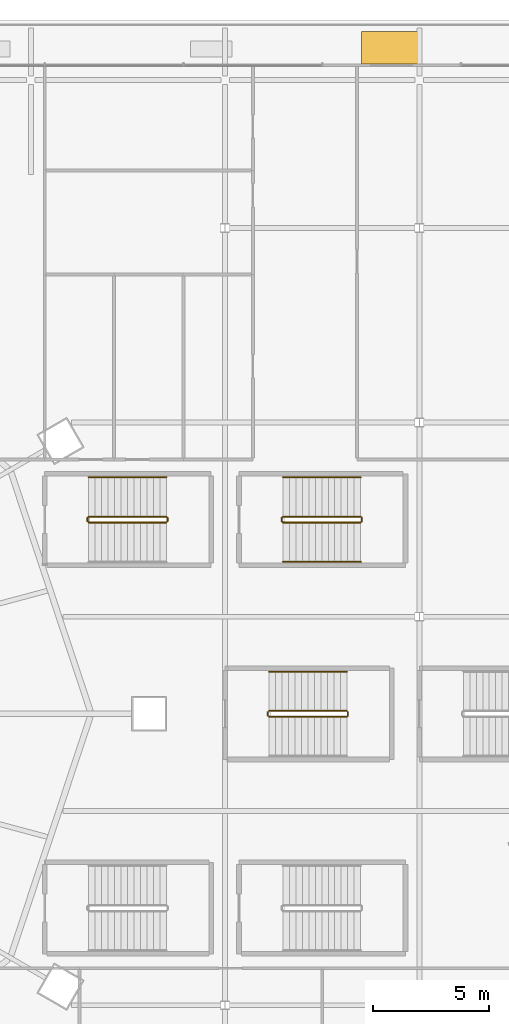
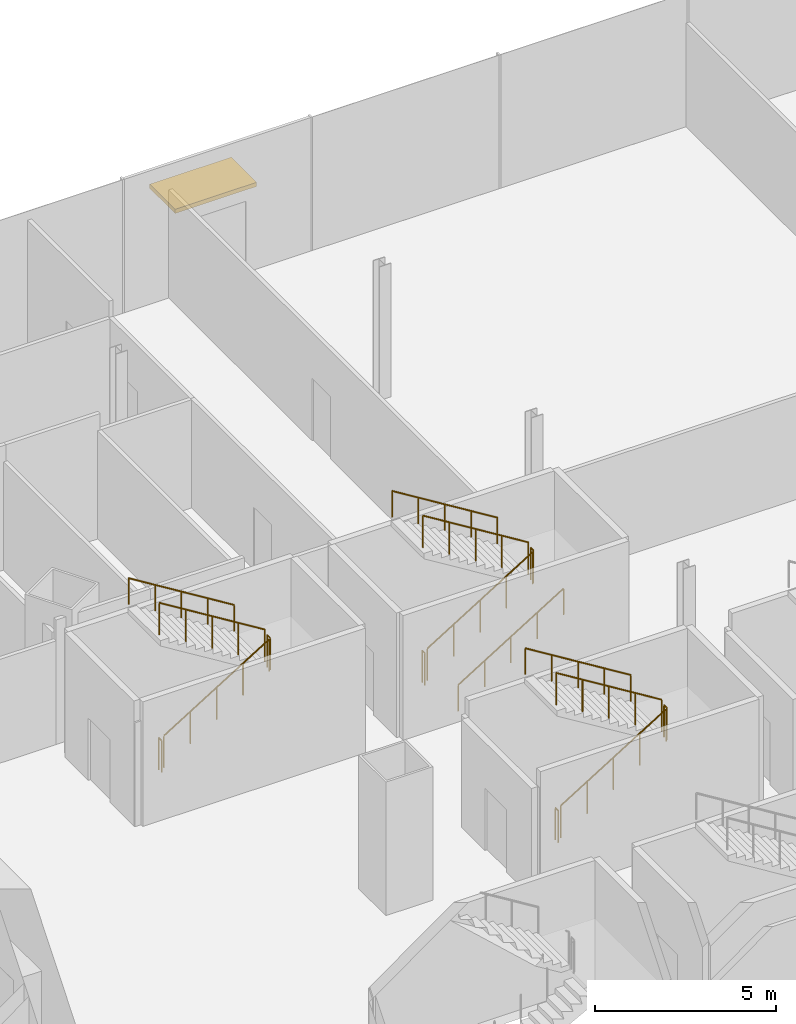
# One storey, part 47 of 52: 16 railings, 1 shading device.
"""IFC4 building model written with IfcOpenShell, lengths in metres."""

from ifc_helpers import new_model, si_unit, direction, frame, origin, origin_2d, place, context, subcontext, project, spatial, rectangle, circle, extrude, material, layer, layer_set, type_object, element, save


model = new_model("IFC4")

# Units and contexts
model_context = context("Model", 3, precision=1e-05, world=origin(), true_north=direction((0.0, 1.0)))
body_context = subcontext(model_context, "Body", "Model", "MODEL_VIEW")
ifc_project = project(units=[si_unit("LENGTHUNIT", "METRE"), si_unit("AREAUNIT", "SQUARE_METRE"), si_unit("VOLUMEUNIT", "CUBIC_METRE"), si_unit("PLANEANGLEUNIT", "RADIAN"), si_unit("MASSUNIT", "GRAM", prefix="KILO")], contexts=[model_context])

# Site, building, storey
site_placement = place(None, origin())
site = spatial("IfcSite", under=ifc_project, at=site_placement, CompositionType="ELEMENT")
building_placement = place(site_placement, origin())
building = spatial("IfcBuilding", under=site, at=building_placement, Name="Rimbun Link Towers", CompositionType="ELEMENT")
storey_placement = place(building_placement, frame((0.0, 0.0, 21.0)))
storey = spatial("IfcBuildingStorey", under=building, at=storey_placement, Name="L04", CompositionType="ELEMENT", Elevation=21.0)

# Shading device
ifc_material_1 = material(Name="Aluminium 6063-T6 louvre blades in a powder-coated aluminium frame", Category="aluminium")
ifc_layer = layer(ifc_material_1, 0.139892578125)
ifc_layer_set = layer_set([ifc_layer], Name="RAIN CANOPY louvre blades 2600X1400")
shading_device_type = type_object("IfcShadingDeviceType", Name="RAIN CANOPY louvre blades 2600X1400", PredefinedType="AWNING", material=ifc_layer_set)
shading_device_placement = place(storey_placement, frame((3.0, 28.800048828125, 2.7001953125), z_axis=(0.0, 0.0, 1.0), x_axis=(1.0, 0.0, 0.0)))
element("IfcShadingDevice", 1, at=shading_device_placement, inside=storey, type_object=shading_device_type, Name="RAIN CANOPY over terrace door", PredefinedType="AWNING", context=body_context, shape_type="SweptSolid", body=[
    extrude(rectangle(XDim=2.60009765625, YDim=1.39990234375, at=origin_2d()), origin(), (0.0, 0.0, 1.0), 0.139892578125),
])

# Railings
ifc_material_2 = material(Name="Stainless steel grade 316", Category="steel")
railing_type_1 = type_object("IfcRailingType", Name="Stair guard", PredefinedType="GUARDRAIL", material=ifc_material_2)
railing_1_placement = place(storey_placement, frame((-10.10009765625, 8.27490234375, 0.173095703125)))
element("IfcRailing", 2, at=railing_1_placement, inside=storey, type_object=railing_type_1, Name="L04 PS3 stair guard 1", PredefinedType="GUARDRAIL", context=body_context, shape_type="SweptSolid", body=[
    extrude(circle(Radius=0.02392578125, at=origin_2d()), frame((0.0, 0.0, 1.076171875), z_axis=(0.850623216509, 0.0, 0.525775754039), x_axis=(0.0, 1.0, 0.0)), (0.0, 0.0, 1.0), 3.9501953125),
    extrude(circle(Radius=0.02099609375, at=origin_2d()), origin(), (0.0, 0.0, 1.0), 1.052001953125),
    extrude(circle(Radius=0.02099609375, at=origin_2d()), frame((0.840087890625, 0.0, 0.519287109375)), (0.0, 0.0, 1.0), 1.052001953125),
    extrude(circle(Radius=0.02099609375, at=origin_2d()), frame((1.68017578125, 0.0, 1.03857421875)), (0.0, 0.0, 1.0), 1.052001953125),
    extrude(circle(Radius=0.02099609375, at=origin_2d()), frame((2.52001953125, 0.0, 1.5576171875)), (0.0, 0.0, 1.0), 1.052001953125),
    extrude(circle(Radius=0.02099609375, at=origin_2d()), frame((3.360107421875, 0.0, 2.076904296875)), (0.0, 0.0, 1.0), 1.052001953125),
])
railing_2_placement = place(storey_placement, frame((-6.68994140625, 8.324951171875, 2.25)))
element("IfcRailing", 3, at=railing_2_placement, inside=storey, type_object=railing_type_1, Name="L04 PS3 stair guard 2", PredefinedType="GUARDRAIL", context=body_context, shape_type="SweptSolid", body=[
    extrude(circle(Radius=0.02392578125, at=origin_2d()), frame((0.0, 0.0, 1.076171875), z_axis=(0.0, 1.0, 0.0), x_axis=(-1.0, 0.0, 0.0)), (0.0, 0.0, 1.0), 0.150146484375),
    extrude(circle(Radius=0.02099609375, at=origin_2d()), origin(), (0.0, 0.0, 1.0), 1.052001953125),
    extrude(circle(Radius=0.02099609375, at=origin_2d()), frame((0.0, 0.150146484375, 0.0)), (0.0, 0.0, 1.0), 1.052001953125),
])
railing_3_placement = place(storey_placement, frame((-6.739990234375, 8.52490234375, 2.423095703125)))
element("IfcRailing", 4, at=railing_3_placement, inside=storey, type_object=railing_type_1, Name="L04 PS3 stair guard 3", PredefinedType="GUARDRAIL", context=body_context, shape_type="SweptSolid", body=[
    extrude(circle(Radius=0.02392578125, at=origin_2d()), frame((0.0, 0.0, 1.076171875), z_axis=(-0.850623216509, 0.0, 0.525775754039), x_axis=(0.0, -1.0, 0.0)), (0.0, 0.0, 1.0), 3.9501953125),
    extrude(circle(Radius=0.02099609375, at=origin_2d()), origin(), (0.0, 0.0, 1.0), 1.052001953125),
    extrude(circle(Radius=0.02099609375, at=origin_2d()), frame((-0.840087890625, 0.0, 0.519287109375)), (0.0, 0.0, 1.0), 1.052001953125),
    extrude(circle(Radius=0.02099609375, at=origin_2d()), frame((-1.68017578125, 0.0, 1.03857421875)), (0.0, 0.0, 1.0), 1.052001953125),
    extrude(circle(Radius=0.02099609375, at=origin_2d()), frame((-2.52001953125, 0.0, 1.5576171875)), (0.0, 0.0, 1.0), 1.052001953125),
    extrude(circle(Radius=0.02099609375, at=origin_2d()), frame((-3.360107421875, 0.0, 2.076904296875)), (0.0, 0.0, 1.0), 1.052001953125),
])
railing_4_placement = place(storey_placement, frame((-10.14990234375, 8.324951171875, 0.0)))
element("IfcRailing", 5, at=railing_4_placement, inside=storey, type_object=railing_type_1, Name="L04 PS3 stair guard 4", PredefinedType="GUARDRAIL", context=body_context, shape_type="SweptSolid", body=[
    extrude(circle(Radius=0.02392578125, at=origin_2d()), frame((0.0, 0.0, 1.076171875), z_axis=(0.0, 1.0, 0.0), x_axis=(-1.0, 0.0, 0.0)), (0.0, 0.0, 1.0), 0.150146484375),
    extrude(circle(Radius=0.02099609375, at=origin_2d()), origin(), (0.0, 0.0, 1.0), 1.052001953125),
    extrude(circle(Radius=0.02099609375, at=origin_2d()), frame((0.0, 0.150146484375, 0.0)), (0.0, 0.0, 1.0), 1.052001953125),
])
railing_5_placement = place(storey_placement, frame((-1.699951171875, 8.27490234375, 0.173095703125)))
element("IfcRailing", 6, at=railing_5_placement, inside=storey, type_object=railing_type_1, Name="L04 PS4 stair guard 1", PredefinedType="GUARDRAIL", context=body_context, shape_type="SweptSolid", body=[
    extrude(circle(Radius=0.02392578125, at=origin_2d()), frame((0.0, 0.0, 1.076171875), z_axis=(0.850606129759, 0.0, 0.525803396734), x_axis=(0.0, 1.0, 0.0)), (0.0, 0.0, 1.0), 3.949951171875),
    extrude(circle(Radius=0.02099609375, at=origin_2d()), origin(), (0.0, 0.0, 1.0), 1.052001953125),
    extrude(circle(Radius=0.02099609375, at=origin_2d()), frame((0.83984375, 0.0, 0.519287109375)), (0.0, 0.0, 1.0), 1.052001953125),
    extrude(circle(Radius=0.02099609375, at=origin_2d()), frame((1.679931640625, 0.0, 1.03857421875)), (0.0, 0.0, 1.0), 1.052001953125),
    extrude(circle(Radius=0.02099609375, at=origin_2d()), frame((2.52001953125, 0.0, 1.5576171875)), (0.0, 0.0, 1.0), 1.052001953125),
    extrude(circle(Radius=0.02099609375, at=origin_2d()), frame((3.35986328125, 0.0, 2.076904296875)), (0.0, 0.0, 1.0), 1.052001953125),
])
railing_6_placement = place(storey_placement, frame((1.7099609375, 8.324951171875, 2.25)))
element("IfcRailing", 7, at=railing_6_placement, inside=storey, type_object=railing_type_1, Name="L04 PS4 stair guard 2", PredefinedType="GUARDRAIL", context=body_context, shape_type="SweptSolid", body=[
    extrude(circle(Radius=0.02392578125, at=origin_2d()), frame((0.0, 0.0, 1.076171875), z_axis=(0.0, 1.0, 0.0), x_axis=(-1.0, 0.0, 0.0)), (0.0, 0.0, 1.0), 0.150146484375),
    extrude(circle(Radius=0.02099609375, at=origin_2d()), origin(), (0.0, 0.0, 1.0), 1.052001953125),
    extrude(circle(Radius=0.02099609375, at=origin_2d()), frame((0.0, 0.150146484375, 0.0)), (0.0, 0.0, 1.0), 1.052001953125),
])
railing_7_placement = place(storey_placement, frame((1.659912109375, 8.52490234375, 2.423095703125)))
element("IfcRailing", 8, at=railing_7_placement, inside=storey, type_object=railing_type_1, Name="L04 PS4 stair guard 3", PredefinedType="GUARDRAIL", context=body_context, shape_type="SweptSolid", body=[
    extrude(circle(Radius=0.02392578125, at=origin_2d()), frame((0.0, 0.0, 1.076171875), z_axis=(-0.850606129759, 0.0, 0.525803396734), x_axis=(0.0, -1.0, 0.0)), (0.0, 0.0, 1.0), 3.949951171875),
    extrude(circle(Radius=0.02099609375, at=origin_2d()), origin(), (0.0, 0.0, 1.0), 1.052001953125),
    extrude(circle(Radius=0.02099609375, at=origin_2d()), frame((-0.83984375, 0.0, 0.519287109375)), (0.0, 0.0, 1.0), 1.052001953125),
    extrude(circle(Radius=0.02099609375, at=origin_2d()), frame((-1.679931640625, 0.0, 1.03857421875)), (0.0, 0.0, 1.0), 1.052001953125),
    extrude(circle(Radius=0.02099609375, at=origin_2d()), frame((-2.52001953125, 0.0, 1.5576171875)), (0.0, 0.0, 1.0), 1.052001953125),
    extrude(circle(Radius=0.02099609375, at=origin_2d()), frame((-3.35986328125, 0.0, 2.076904296875)), (0.0, 0.0, 1.0), 1.052001953125),
])
railing_8_placement = place(storey_placement, frame((-1.75, 8.324951171875, 0.0)))
element("IfcRailing", 9, at=railing_8_placement, inside=storey, type_object=railing_type_1, Name="L04 PS4 stair guard 4", PredefinedType="GUARDRAIL", context=body_context, shape_type="SweptSolid", body=[
    extrude(circle(Radius=0.02392578125, at=origin_2d()), frame((0.0, 0.0, 1.076171875), z_axis=(0.0, 1.0, 0.0), x_axis=(-1.0, 0.0, 0.0)), (0.0, 0.0, 1.0), 0.150146484375),
    extrude(circle(Radius=0.02099609375, at=origin_2d()), origin(), (0.0, 0.0, 1.0), 1.052001953125),
    extrude(circle(Radius=0.02099609375, at=origin_2d()), frame((0.0, 0.150146484375, 0.0)), (0.0, 0.0, 1.0), 1.052001953125),
])
railing_9_placement = place(storey_placement, frame((-2.300048828125, -0.125, 0.173095703125)))
element("IfcRailing", 10, at=railing_9_placement, inside=storey, type_object=railing_type_1, Name="L04 PS6 stair guard 1", PredefinedType="GUARDRAIL", context=body_context, shape_type="SweptSolid", body=[
    extrude(circle(Radius=0.02392578125, at=origin_2d()), frame((0.0, 0.0, 1.076171875), z_axis=(0.850623216509, 0.0, 0.525775754039), x_axis=(0.0, 1.0, 0.0)), (0.0, 0.0, 1.0), 3.9501953125),
    extrude(circle(Radius=0.02099609375, at=origin_2d()), origin(), (0.0, 0.0, 1.0), 1.052001953125),
    extrude(circle(Radius=0.02099609375, at=origin_2d()), frame((0.840087890625, 0.0, 0.519287109375)), (0.0, 0.0, 1.0), 1.052001953125),
    extrude(circle(Radius=0.02099609375, at=origin_2d()), frame((1.68017578125, 0.0, 1.03857421875)), (0.0, 0.0, 1.0), 1.052001953125),
    extrude(circle(Radius=0.02099609375, at=origin_2d()), frame((2.52001953125, 0.0, 1.5576171875)), (0.0, 0.0, 1.0), 1.052001953125),
    extrude(circle(Radius=0.02099609375, at=origin_2d()), frame((3.360107421875, 0.0, 2.076904296875)), (0.0, 0.0, 1.0), 1.052001953125),
])
railing_10_placement = place(storey_placement, frame((1.110107421875, -0.074951171875, 2.25)))
element("IfcRailing", 11, at=railing_10_placement, inside=storey, type_object=railing_type_1, Name="L04 PS6 stair guard 2", PredefinedType="GUARDRAIL", context=body_context, shape_type="SweptSolid", body=[
    extrude(circle(Radius=0.02392578125, at=origin_2d()), frame((0.0, 0.0, 1.076171875), z_axis=(0.0, 1.0, 0.0), x_axis=(-1.0, 0.0, 0.0)), (0.0, 0.0, 1.0), 0.14990234375),
    extrude(circle(Radius=0.02099609375, at=origin_2d()), origin(), (0.0, 0.0, 1.0), 1.052001953125),
    extrude(circle(Radius=0.02099609375, at=origin_2d()), frame((0.0, 0.14990234375, 0.0)), (0.0, 0.0, 1.0), 1.052001953125),
])
railing_11_placement = place(storey_placement, frame((1.06005859375, 0.125, 2.423095703125)))
element("IfcRailing", 12, at=railing_11_placement, inside=storey, type_object=railing_type_1, Name="L04 PS6 stair guard 3", PredefinedType="GUARDRAIL", context=body_context, shape_type="SweptSolid", body=[
    extrude(circle(Radius=0.02392578125, at=origin_2d()), frame((0.0, 0.0, 1.076171875), z_axis=(-0.850623216509, 0.0, 0.525775754039), x_axis=(0.0, -1.0, 0.0)), (0.0, 0.0, 1.0), 3.9501953125),
    extrude(circle(Radius=0.02099609375, at=origin_2d()), origin(), (0.0, 0.0, 1.0), 1.052001953125),
    extrude(circle(Radius=0.02099609375, at=origin_2d()), frame((-0.840087890625, 0.0, 0.519287109375)), (0.0, 0.0, 1.0), 1.052001953125),
    extrude(circle(Radius=0.02099609375, at=origin_2d()), frame((-1.68017578125, 0.0, 1.03857421875)), (0.0, 0.0, 1.0), 1.052001953125),
    extrude(circle(Radius=0.02099609375, at=origin_2d()), frame((-2.52001953125, 0.0, 1.5576171875)), (0.0, 0.0, 1.0), 1.052001953125),
    extrude(circle(Radius=0.02099609375, at=origin_2d()), frame((-3.360107421875, 0.0, 2.076904296875)), (0.0, 0.0, 1.0), 1.052001953125),
])
railing_12_placement = place(storey_placement, frame((-2.35009765625, -0.074951171875, 0.0)))
element("IfcRailing", 13, at=railing_12_placement, inside=storey, type_object=railing_type_1, Name="L04 PS6 stair guard 4", PredefinedType="GUARDRAIL", context=body_context, shape_type="SweptSolid", body=[
    extrude(circle(Radius=0.02392578125, at=origin_2d()), frame((0.0, 0.0, 1.076171875), z_axis=(0.0, 1.0, 0.0), x_axis=(-1.0, 0.0, 0.0)), (0.0, 0.0, 1.0), 0.14990234375),
    extrude(circle(Radius=0.02099609375, at=origin_2d()), origin(), (0.0, 0.0, 1.0), 1.052001953125),
    extrude(circle(Radius=0.02099609375, at=origin_2d()), frame((0.0, 0.14990234375, 0.0)), (0.0, 0.0, 1.0), 1.052001953125),
])
ifc_material_3 = material(Name="Stainless steel grade 316", Category="steel")
railing_type_2 = type_object("IfcRailingType", Name="Stair handrail", PredefinedType="HANDRAIL", material=ifc_material_3)
railing_13_placement = place(storey_placement, frame((-6.739990234375, 10.22509765625, 2.423095703125)))
element("IfcRailing", 14, at=railing_13_placement, inside=storey, type_object=railing_type_2, Name="L04 PS3 stair handrail 2", PredefinedType="HANDRAIL", context=body_context, shape_type="SweptSolid", body=[
    extrude(circle(Radius=0.02392578125, at=origin_2d()), frame((0.0, 0.0, 0.8759765625), z_axis=(-0.850623216509, 0.0, 0.525775754039), x_axis=(0.0, -1.0, 0.0)), (0.0, 0.0, 1.0), 3.9501953125),
    extrude(circle(Radius=0.02099609375, at=origin_2d()), origin(), (0.0, 0.0, 1.0), 0.851806640625),
    extrude(circle(Radius=0.02099609375, at=origin_2d()), frame((-0.840087890625, 0.0, 0.519287109375)), (0.0, 0.0, 1.0), 0.851806640625),
    extrude(circle(Radius=0.02099609375, at=origin_2d()), frame((-1.68017578125, 0.0, 1.03857421875)), (0.0, 0.0, 1.0), 0.851806640625),
    extrude(circle(Radius=0.02099609375, at=origin_2d()), frame((-2.52001953125, 0.0, 1.5576171875)), (0.0, 0.0, 1.0), 0.851806640625),
    extrude(circle(Radius=0.02099609375, at=origin_2d()), frame((-3.360107421875, 0.0, 2.076904296875)), (0.0, 0.0, 1.0), 0.851806640625),
])
railing_14_placement = place(storey_placement, frame((-1.699951171875, 6.574951171875, 0.173095703125)))
element("IfcRailing", 15, at=railing_14_placement, inside=storey, type_object=railing_type_2, Name="L04 PS4 stair handrail 1", PredefinedType="HANDRAIL", context=body_context, shape_type="SweptSolid", body=[
    extrude(circle(Radius=0.02392578125, at=origin_2d()), frame((0.0, 0.0, 0.8759765625), z_axis=(0.850606129759, 0.0, 0.525803396734), x_axis=(0.0, 1.0, 0.0)), (0.0, 0.0, 1.0), 3.949951171875),
    extrude(circle(Radius=0.02099609375, at=origin_2d()), origin(), (0.0, 0.0, 1.0), 0.851806640625),
    extrude(circle(Radius=0.02099609375, at=origin_2d()), frame((0.83984375, 0.0, 0.519287109375)), (0.0, 0.0, 1.0), 0.851806640625),
    extrude(circle(Radius=0.02099609375, at=origin_2d()), frame((1.679931640625, 0.0, 1.03857421875)), (0.0, 0.0, 1.0), 0.851806640625),
    extrude(circle(Radius=0.02099609375, at=origin_2d()), frame((2.52001953125, 0.0, 1.5576171875)), (0.0, 0.0, 1.0), 0.851806640625),
    extrude(circle(Radius=0.02099609375, at=origin_2d()), frame((3.35986328125, 0.0, 2.076904296875)), (0.0, 0.0, 1.0), 0.851806640625),
])
railing_15_placement = place(storey_placement, frame((1.659912109375, 10.22509765625, 2.423095703125)))
element("IfcRailing", 16, at=railing_15_placement, inside=storey, type_object=railing_type_2, Name="L04 PS4 stair handrail 2", PredefinedType="HANDRAIL", context=body_context, shape_type="SweptSolid", body=[
    extrude(circle(Radius=0.02392578125, at=origin_2d()), frame((0.0, 0.0, 0.8759765625), z_axis=(-0.850606129759, 0.0, 0.525803396734), x_axis=(0.0, -1.0, 0.0)), (0.0, 0.0, 1.0), 3.949951171875),
    extrude(circle(Radius=0.02099609375, at=origin_2d()), origin(), (0.0, 0.0, 1.0), 0.851806640625),
    extrude(circle(Radius=0.02099609375, at=origin_2d()), frame((-0.83984375, 0.0, 0.519287109375)), (0.0, 0.0, 1.0), 0.851806640625),
    extrude(circle(Radius=0.02099609375, at=origin_2d()), frame((-1.679931640625, 0.0, 1.03857421875)), (0.0, 0.0, 1.0), 0.851806640625),
    extrude(circle(Radius=0.02099609375, at=origin_2d()), frame((-2.52001953125, 0.0, 1.5576171875)), (0.0, 0.0, 1.0), 0.851806640625),
    extrude(circle(Radius=0.02099609375, at=origin_2d()), frame((-3.35986328125, 0.0, 2.076904296875)), (0.0, 0.0, 1.0), 0.851806640625),
])
railing_16_placement = place(storey_placement, frame((1.06005859375, 1.824951171875, 2.423095703125)))
element("IfcRailing", 17, at=railing_16_placement, inside=storey, type_object=railing_type_2, Name="L04 PS6 stair handrail 2", PredefinedType="HANDRAIL", context=body_context, shape_type="SweptSolid", body=[
    extrude(circle(Radius=0.02392578125, at=origin_2d()), frame((0.0, 0.0, 0.8759765625), z_axis=(-0.850623216509, 0.0, 0.525775754039), x_axis=(0.0, -1.0, 0.0)), (0.0, 0.0, 1.0), 3.9501953125),
    extrude(circle(Radius=0.02099609375, at=origin_2d()), origin(), (0.0, 0.0, 1.0), 0.851806640625),
    extrude(circle(Radius=0.02099609375, at=origin_2d()), frame((-0.840087890625, 0.0, 0.519287109375)), (0.0, 0.0, 1.0), 0.851806640625),
    extrude(circle(Radius=0.02099609375, at=origin_2d()), frame((-1.68017578125, 0.0, 1.03857421875)), (0.0, 0.0, 1.0), 0.851806640625),
    extrude(circle(Radius=0.02099609375, at=origin_2d()), frame((-2.52001953125, 0.0, 1.5576171875)), (0.0, 0.0, 1.0), 0.851806640625),
    extrude(circle(Radius=0.02099609375, at=origin_2d()), frame((-3.360107421875, 0.0, 2.076904296875)), (0.0, 0.0, 1.0), 0.851806640625),
])

save(model, "model.ifc")
